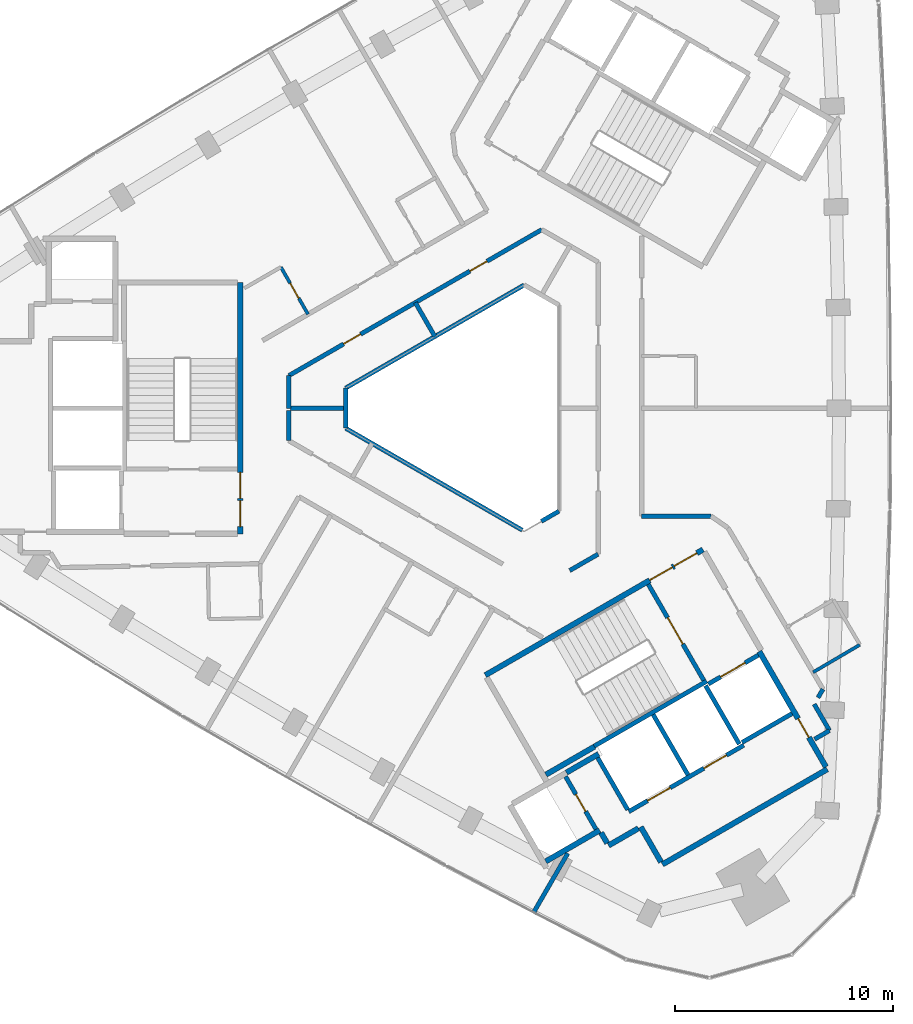
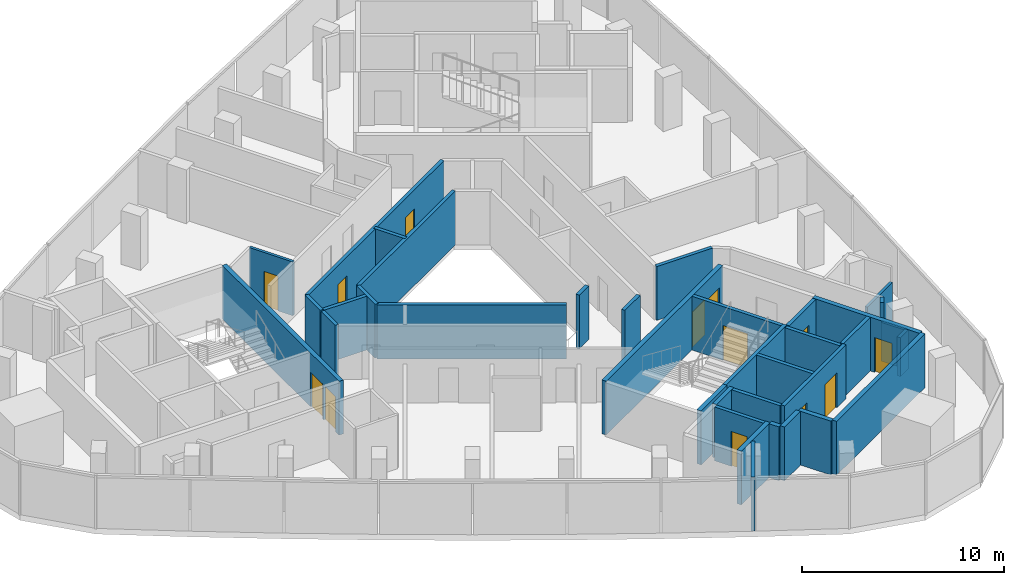
# One storey, part 8 of 11: 36 walls, 13 doors, 13 openings.
"""IFC4 building model written with IfcOpenShell, lengths in metres."""

from ifc_helpers import new_model, si_unit, direction, frame, frame_2d, origin, place, context, subcontext, project, spatial, rectangle, extrude, material, layer, layer_set, type_object, element, fill, save


model = new_model("IFC4")

# Units and contexts
model_context = context("Model", 3, precision=1e-05, world=origin(), true_north=direction((0.0, 1.0)))
body_context = subcontext(model_context, "Body", "Model", "MODEL_VIEW")
ifc_project = project(units=[si_unit("LENGTHUNIT", "METRE"), si_unit("AREAUNIT", "SQUARE_METRE"), si_unit("VOLUMEUNIT", "CUBIC_METRE"), si_unit("PLANEANGLEUNIT", "RADIAN"), si_unit("MASSUNIT", "GRAM", prefix="KILO")], contexts=[model_context])

# Site, building, storey
site_placement = place(None, origin())
site = spatial("IfcSite", under=ifc_project, at=site_placement, CompositionType="ELEMENT")
building_placement = place(site_placement, origin())
building = spatial("IfcBuilding", under=site, at=building_placement, Name="Tamra Quay Hotel Tower", CompositionType="ELEMENT")
storey_placement = place(building_placement, frame((0.0, 0.0, 235.800048828125)))
storey = spatial("IfcBuildingStorey", under=building, at=storey_placement, Name="L59", CompositionType="ELEMENT", Elevation=235.800048828125)

# Wall
ifc_material_1 = material(Name="Concrete M70", Category="concrete")
ifc_layer_1 = layer(ifc_material_1, 0.199951171875)
ifc_layer_set_1 = layer_set([ifc_layer_1], Name="Concrete M70 core wall 200")
wall_type_1 = type_object("IfcWallType", Name="Concrete M70 core wall 200", PredefinedType="SHEAR", material=ifc_layer_set_1)
wall_1_placement = place(storey_placement, frame((5.4189453125, -15.533935546875, 0.0), z_axis=(0.0, 0.0, 1.0), x_axis=(0.866029065029, 0.499993658486, 0.0)))
element("IfcWall", 1, at=wall_1_placement, inside=storey, type_object=wall_type_1, Name="CW2", PredefinedType="SHEAR", context=body_context, shape_type="SweptSolid", body=[
    extrude(rectangle(XDim=5.97412109375, YDim=0.199951171875, at=frame_2d((2.987060546875, 0.0))), origin(), (0.0, 0.0, 1.0), 3.25),
])

# Wall, openings, doors
wall_2_placement = place(storey_placement, frame((7.009765625, -18.54150390625, 0.0), z_axis=(0.0, 0.0, 1.0), x_axis=(0.866030299012, 0.499991521122, 0.0)))
wall_2 = element("IfcWall", 2, at=wall_2_placement, inside=storey, type_object=wall_type_1, Name="CW2", PredefinedType="SHEAR", context=body_context, shape_type="SweptSolid", body=[
    extrude(rectangle(XDim=6.10009765625, YDim=0.199951171875, at=frame_2d((3.050048828125, 0.0))), origin(), (0.0, 0.0, 1.0), 3.25),
])
opening_1_placement = place(wall_2_placement, frame((1.0, 0.0, 0.0)))
opening_1 = element("IfcOpeningElement", 3, at=opening_1_placement, cuts=wall_2, Name="Opening LD", PredefinedType="OPENING", context=body_context, shape_type="SweptSolid", body=[
    extrude(rectangle(XDim=1.199951171875, YDim=2.10009765625, at=frame_2d((0.60009765625, 1.050048828125))), frame((0.0, 0.10986328125, 0.0), z_axis=(0.0, -1.0, 0.0), x_axis=(1.0, 0.0, 0.0)), (0.0, 0.0, 1.0), 0.219970703125),
])
opening_2_placement = place(wall_2_placement, frame((3.982177734375, 0.0, 0.0)))
opening_2 = element("IfcOpeningElement", 4, at=opening_2_placement, cuts=wall_2, Name="Opening LD", PredefinedType="OPENING", context=body_context, shape_type="SweptSolid", body=[
    extrude(rectangle(XDim=1.199951171875, YDim=2.10009765625, at=frame_2d((0.60009765625, 1.050048828125))), frame((0.0, 0.10986328125, 0.0), z_axis=(0.0, -1.0, 0.0), x_axis=(1.0, 0.0, 0.0)), (0.0, 0.0, 1.0), 0.219970703125),
])
ifc_material_2 = material(Name="Landing door LD 1200 double door sliding")
door_type_1 = type_object("IfcDoorType", Name="Landing door LD 1200 double door sliding", OperationType="DOUBLE_DOOR_SLIDING", PredefinedType="DOOR", material=ifc_material_2)
door_1_placement = place(opening_1_placement, origin())
door_1 = element("IfcDoor", 5, at=door_1_placement, inside=storey, type_object=door_type_1, Name="LD", OperationType="DOUBLE_DOOR_SLIDING", OverallHeight=2.10009765625, OverallWidth=1.199951171875, PredefinedType="DOOR", context=body_context, shape_type="SweptSolid", body=[
    extrude(rectangle(XDim=1.199951171875, YDim=2.10009765625, at=frame_2d((0.60009765625, 1.050048828125))), frame((0.0, 0.02490234375, 0.0), z_axis=(0.0, -1.0, 0.0), x_axis=(1.0, 0.0, 0.0)), (0.0, 0.0, 1.0), 0.050048828125),
])
fill(opening_1, door_1)
door_2_placement = place(opening_2_placement, origin())
door_2 = element("IfcDoor", 6, at=door_2_placement, inside=storey, type_object=door_type_1, Name="LD", OperationType="DOUBLE_DOOR_SLIDING", OverallHeight=2.10009765625, OverallWidth=1.199951171875, PredefinedType="DOOR", context=body_context, shape_type="SweptSolid", body=[
    extrude(rectangle(XDim=1.199951171875, YDim=2.10009765625, at=frame_2d((0.60009765625, 1.050048828125))), frame((0.0, 0.02490234375, 0.0), z_axis=(0.0, -1.0, 0.0), x_axis=(1.0, 0.0, 0.0)), (0.0, 0.0, 1.0), 0.050048828125),
])
fill(opening_2, door_2)

# Wall, opening, door
wall_3_placement = place(storey_placement, frame((7.906494140625, -8.094482421875, 0.0), z_axis=(0.0, 0.0, 1.0), x_axis=(0.500027839223, -0.866009330205, 0.0)))
wall_3 = element("IfcWall", 7, at=wall_3_placement, inside=storey, type_object=wall_type_1, Name="CW2", PredefinedType="SHEAR", context=body_context, shape_type="SweptSolid", body=[
    extrude(rectangle(XDim=5.097900390625, YDim=0.199951171875, at=frame_2d((2.548828125, 0.0))), origin(), (0.0, 0.0, 1.0), 3.25),
])
opening_3_placement = place(wall_3_placement, frame((1.77392578125, 0.0, 0.0)))
opening_3 = element("IfcOpeningElement", 8, at=opening_3_placement, cuts=wall_3, Name="Opening FD2", PredefinedType="OPENING", context=body_context, shape_type="SweptSolid", body=[
    extrude(rectangle(XDim=1.39990234375, YDim=2.10009765625, at=frame_2d((0.699951171875, 1.050048828125))), frame((0.0, 0.10986328125, 0.0), z_axis=(0.0, -1.0, 0.0), x_axis=(1.0, 0.0, 0.0)), (0.0, 0.0, 1.0), 0.219970703125),
])
ifc_material_3 = material(Name="Core door FD2 1400x2100 RH")
door_type_2 = type_object("IfcDoorType", Name="Core door FD2 1400x2100 RH", OperationType="NOTDEFINED", PredefinedType="DOOR", material=ifc_material_3)
door_3_placement = place(opening_3_placement, origin())
door_3 = element("IfcDoor", 9, at=door_3_placement, inside=storey, type_object=door_type_2, Name="FD2", OperationType="SINGLE_SWING_RIGHT", OverallHeight=2.10009765625, OverallWidth=1.39990234375, PredefinedType="DOOR", context=body_context, shape_type="SweptSolid", body=[
    extrude(rectangle(XDim=1.39990234375, YDim=2.10009765625, at=frame_2d((0.699951171875, 1.050048828125))), frame((0.0, 0.02490234375, 0.0), z_axis=(0.0, -1.0, 0.0), x_axis=(1.0, 0.0, 0.0)), (0.0, 0.0, 1.0), 0.050048828125),
])
fill(opening_3, door_3)

# Wall
wall_4_placement = place(storey_placement, frame((8.131591796875, -14.084228515625, 0.0), z_axis=(0.0, 0.0, 1.0), x_axis=(0.499997778408, -0.866026686418, 0.0)))
element("IfcWall", 10, at=wall_4_placement, inside=storey, type_object=wall_type_1, Name="CW2", PredefinedType="SHEAR", context=body_context, shape_type="SweptSolid", body=[
    extrude(rectangle(XDim=3.1982421875, YDim=0.199951171875, at=frame_2d((1.59912109375, 0.0))), origin(), (0.0, 0.0, 1.0), 3.25),
])

# Wall, opening, door
wall_5_placement = place(storey_placement, frame((5.50341796875, -19.352294921875, 0.0), z_axis=(0.0, 0.0, 1.0), x_axis=(-0.499986818241, 0.866033014143, 0.0)))
wall_5 = element("IfcWall", 11, at=wall_5_placement, inside=storey, type_object=wall_type_1, Name="CW2", PredefinedType="SHEAR", context=body_context, shape_type="SweptSolid", body=[
    extrude(rectangle(XDim=2.7978515625, YDim=0.199951171875, at=frame_2d((1.39892578125, 0.0))), origin(), (0.0, 0.0, 1.0), 3.25),
])
opening_4_placement = place(wall_5_placement, frame((0.948974609375, 0.0, 0.0)))
opening_4 = element("IfcOpeningElement", 12, at=opening_4_placement, cuts=wall_5, Name="Opening D1", PredefinedType="OPENING", context=body_context, shape_type="SweptSolid", body=[
    extrude(rectangle(XDim=0.89990234375, YDim=2.10009765625, at=frame_2d((0.449951171875, 1.050048828125))), frame((0.0, 0.10986328125, 0.0), z_axis=(0.0, -1.0, 0.0), x_axis=(1.0, 0.0, 0.0)), (0.0, 0.0, 1.0), 0.219970703125),
])
ifc_material_4 = material(Name="Core door D1 900x2100 LH")
door_type_3 = type_object("IfcDoorType", Name="Core door D1 900x2100 LH", OperationType="NOTDEFINED", PredefinedType="DOOR", material=ifc_material_4)
door_4_placement = place(opening_4_placement, origin())
door_4 = element("IfcDoor", 13, at=door_4_placement, inside=storey, type_object=door_type_3, Name="D1", OperationType="SINGLE_SWING_LEFT", OverallHeight=2.10009765625, OverallWidth=0.89990234375, PredefinedType="DOOR", context=body_context, shape_type="SweptSolid", body=[
    extrude(rectangle(XDim=0.89990234375, YDim=2.10009765625, at=frame_2d((0.449951171875, 1.050048828125))), frame((0.0, 0.02490234375, 0.0), z_axis=(0.0, -1.0, 0.0), x_axis=(1.0, 0.0, 0.0)), (0.0, 0.0, 1.0), 0.050048828125),
])
fill(opening_4, door_4)

# Walls
wall_6_placement = place(storey_placement, frame((6.959716796875, -18.455078125, 0.0), z_axis=(0.0, 0.0, 1.0), x_axis=(-0.499926705758, 0.866067716099, 0.0)))
element("IfcWall", 14, at=wall_6_placement, inside=storey, type_object=wall_type_1, Name="CW2", PredefinedType="SHEAR", context=body_context, shape_type="SweptSolid", body=[
    extrude(rectangle(XDim=2.75927734375, YDim=0.199951171875, at=frame_2d((1.379638671875, 0.0))), origin(), (0.0, 0.0, 1.0), 3.25),
])
wall_7_placement = place(storey_placement, frame((12.087646484375, -15.4365234375, 0.0), z_axis=(0.0, 0.0, 1.0), x_axis=(-0.500026960575, 0.86600983753, 0.0)))
element("IfcWall", 15, at=wall_7_placement, inside=storey, type_object=wall_type_1, Name="CW2", PredefinedType="SHEAR", context=body_context, shape_type="SweptSolid", body=[
    extrude(rectangle(XDim=3.099853515625, YDim=0.199951171875, at=frame_2d((1.5498046875, 0.0))), origin(), (0.0, 0.0, 1.0), 3.25),
])

# Wall, opening, door
wall_8_placement = place(storey_placement, frame((10.666015625, -12.677734375, 0.0), z_axis=(0.0, 0.0, 1.0), x_axis=(0.866018407898, 0.500012117035, 0.0)))
wall_8 = element("IfcWall", 16, at=wall_8_placement, inside=storey, type_object=wall_type_1, Name="CW2", PredefinedType="SHEAR", context=body_context, shape_type="SweptSolid", body=[
    extrude(rectangle(XDim=2.65087890625, YDim=0.199951171875, at=frame_2d((1.325439453125, 0.0))), origin(), (0.0, 0.0, 1.0), 3.25),
])
opening_5_placement = place(wall_8_placement, frame((0.65185546875, 0.0, 0.0)))
opening_5 = element("IfcOpeningElement", 17, at=opening_5_placement, cuts=wall_8, Name="Opening LD", PredefinedType="OPENING", context=body_context, shape_type="SweptSolid", body=[
    extrude(rectangle(XDim=1.300048828125, YDim=2.10009765625, at=frame_2d((0.64990234375, 1.050048828125))), frame((0.0, 0.10986328125, 0.0), z_axis=(0.0, -1.0, 0.0), x_axis=(1.0, 0.0, 0.0)), (0.0, 0.0, 1.0), 0.219970703125),
])
ifc_material_5 = material(Name="Landing door LD 1300 sliding to right")
door_type_4 = type_object("IfcDoorType", Name="Landing door LD 1300 sliding to right", OperationType="NOTDEFINED", PredefinedType="DOOR", material=ifc_material_5)
door_5_placement = place(opening_5_placement, origin())
door_5 = element("IfcDoor", 18, at=door_5_placement, inside=storey, type_object=door_type_4, Name="LD", OperationType="SLIDING_TO_RIGHT", OverallHeight=2.10009765625, OverallWidth=1.300048828125, PredefinedType="DOOR", context=body_context, shape_type="SweptSolid", body=[
    extrude(rectangle(XDim=1.300048828125, YDim=2.10009765625, at=frame_2d((0.64990234375, 1.050048828125))), frame((0.0, 0.02490234375, 0.0), z_axis=(0.0, -1.0, 0.0), x_axis=(1.0, 0.0, 0.0)), (0.0, 0.0, 1.0), 0.050048828125),
])
fill(opening_5, door_5)

# Wall
wall_9_placement = place(storey_placement, frame((14.51171875, -14.037109375, 0.0), z_axis=(0.0, 0.0, 1.0), x_axis=(-0.866018407898, -0.500012117035, 0.0)))
element("IfcWall", 19, at=wall_9_placement, inside=storey, type_object=wall_type_1, Name="CW2", PredefinedType="SHEAR", context=body_context, shape_type="SweptSolid", body=[
    extrude(rectangle(XDim=2.65087890625, YDim=0.199951171875, at=frame_2d((1.325439453125, 0.0))), origin(), (0.0, 0.0, 1.0), 3.25),
])

# Wall, openings, doors
ifc_layer_2 = layer(ifc_material_1, 0.25)
ifc_layer_set_2 = layer_set([ifc_layer_2], Name="Concrete M70 core wall 250")
wall_type_2 = type_object("IfcWallType", Name="Concrete M70 core wall 250", PredefinedType="SHEAR", material=ifc_layer_set_2)
wall_10_placement = place(storey_placement, frame((-10.83740234375, 5.77490234375, 0.0), z_axis=(0.0, 0.0, 1.0), x_axis=(0.0, -1.0, 0.0)))
wall_10 = element("IfcWall", 20, at=wall_10_placement, inside=storey, type_object=wall_type_2, Name="CW1", PredefinedType="SHEAR", context=body_context, shape_type="SweptSolid", body=[
    extrude(rectangle(XDim=11.5498046875, YDim=0.25, at=frame_2d((5.77490234375, 0.0))), origin(), (0.0, 0.0, 1.0), 3.25),
])
opening_6_placement = place(wall_10_placement, frame((10.02490234375, 0.0, 0.0)))
opening_6 = element("IfcOpeningElement", 21, at=opening_6_placement, cuts=wall_10, Name="Opening FD1", PredefinedType="OPENING", context=body_context, shape_type="SweptSolid", body=[
    extrude(rectangle(XDim=1.199951171875, YDim=2.10009765625, at=frame_2d((0.60009765625, 1.050048828125))), frame((0.0, 0.135009765625, 0.0), z_axis=(0.0, -1.0, 0.0), x_axis=(1.0, 0.0, 0.0)), (0.0, 0.0, 1.0), 0.27001953125),
])
opening_7_placement = place(wall_10_placement, frame((8.72509765625, 0.0, 0.0)))
opening_7 = element("IfcOpeningElement", 22, at=opening_7_placement, cuts=wall_10, Name="Opening FD1", PredefinedType="OPENING", context=body_context, shape_type="SweptSolid", body=[
    extrude(rectangle(XDim=1.199951171875, YDim=2.10009765625, at=frame_2d((0.60009765625, 1.050048828125))), frame((0.0, 0.135009765625, 0.0), z_axis=(0.0, -1.0, 0.0), x_axis=(1.0, 0.0, 0.0)), (0.0, 0.0, 1.0), 0.27001953125),
])
ifc_material_6 = material(Name="Core door FD1 1200x2100 LH")
door_type_5 = type_object("IfcDoorType", Name="Core door FD1 1200x2100 LH", OperationType="NOTDEFINED", PredefinedType="DOOR", material=ifc_material_6)
door_6_placement = place(opening_6_placement, origin())
door_6 = element("IfcDoor", 23, at=door_6_placement, inside=storey, type_object=door_type_5, Name="FD1", OperationType="SINGLE_SWING_LEFT", OverallHeight=2.10009765625, OverallWidth=1.199951171875, PredefinedType="DOOR", context=body_context, shape_type="SweptSolid", body=[
    extrude(rectangle(XDim=1.199951171875, YDim=2.10009765625, at=frame_2d((0.60009765625, 1.050048828125))), frame((0.0, 0.02490234375, 0.0), z_axis=(0.0, -1.0, 0.0), x_axis=(1.0, 0.0, 0.0)), (0.0, 0.0, 1.0), 0.050048828125),
])
fill(opening_6, door_6)
ifc_material_7 = material(Name="Core door FD1 1200x2100 RH")
door_type_6 = type_object("IfcDoorType", Name="Core door FD1 1200x2100 RH", OperationType="NOTDEFINED", PredefinedType="DOOR", material=ifc_material_7)
door_7_placement = place(opening_7_placement, origin())
door_7 = element("IfcDoor", 24, at=door_7_placement, inside=storey, type_object=door_type_6, Name="FD1", OperationType="SINGLE_SWING_RIGHT", OverallHeight=2.10009765625, OverallWidth=1.199951171875, PredefinedType="DOOR", context=body_context, shape_type="SweptSolid", body=[
    extrude(rectangle(XDim=1.199951171875, YDim=2.10009765625, at=frame_2d((0.60009765625, 1.050048828125))), frame((0.0, 0.02490234375, 0.0), z_axis=(0.0, -1.0, 0.0), x_axis=(1.0, 0.0, 0.0)), (0.0, 0.0, 1.0), 0.050048828125),
])
fill(opening_7, door_7)

wall_11_placement = place(storey_placement, frame((0.417236328125, -12.27294921875, 0.0), z_axis=(0.0, 0.0, 1.0), x_axis=(0.866021906294, 0.500006057782, 0.0)))
wall_11 = element("IfcWall", 25, at=wall_11_placement, inside=storey, type_object=wall_type_2, Name="CW1", PredefinedType="SHEAR", context=body_context, shape_type="SweptSolid", body=[
    extrude(rectangle(XDim=11.550048828125, YDim=0.25, at=frame_2d((5.77490234375, 0.0))), origin(), (0.0, 0.0, 1.0), 3.25),
])
opening_8_placement = place(wall_11_placement, frame((10.024658203125, 0.0, 0.0)))
opening_8 = element("IfcOpeningElement", 26, at=opening_8_placement, cuts=wall_11, Name="Opening FD1", PredefinedType="OPENING", context=body_context, shape_type="SweptSolid", body=[
    extrude(rectangle(XDim=1.199951171875, YDim=2.10009765625, at=frame_2d((0.60009765625, 1.050048828125))), frame((0.0, 0.135009765625, 0.0), z_axis=(0.0, -1.0, 0.0), x_axis=(1.0, 0.0, 0.0)), (0.0, 0.0, 1.0), 0.27001953125),
])
opening_9_placement = place(wall_11_placement, frame((8.724609375, 0.0, 0.0)))
opening_9 = element("IfcOpeningElement", 27, at=opening_9_placement, cuts=wall_11, Name="Opening FD1", PredefinedType="OPENING", context=body_context, shape_type="SweptSolid", body=[
    extrude(rectangle(XDim=1.199951171875, YDim=2.10009765625, at=frame_2d((0.60009765625, 1.050048828125))), frame((0.0, 0.135009765625, 0.0), z_axis=(0.0, -1.0, 0.0), x_axis=(1.0, 0.0, 0.0)), (0.0, 0.0, 1.0), 0.27001953125),
])
door_8_placement = place(opening_8_placement, origin())
door_8 = element("IfcDoor", 28, at=door_8_placement, inside=storey, type_object=door_type_5, Name="FD1", OperationType="SINGLE_SWING_LEFT", OverallHeight=2.10009765625, OverallWidth=1.199951171875, PredefinedType="DOOR", context=body_context, shape_type="SweptSolid", body=[
    extrude(rectangle(XDim=1.199951171875, YDim=2.10009765625, at=frame_2d((0.60009765625, 1.050048828125))), frame((0.0, 0.02490234375, 0.0), z_axis=(0.0, -1.0, 0.0), x_axis=(1.0, 0.0, 0.0)), (0.0, 0.0, 1.0), 0.050048828125),
])
fill(opening_8, door_8)
door_9_placement = place(opening_9_placement, origin())
door_9 = element("IfcDoor", 29, at=door_9_placement, inside=storey, type_object=door_type_6, Name="FD1", OperationType="SINGLE_SWING_RIGHT", OverallHeight=2.10009765625, OverallWidth=1.199951171875, PredefinedType="DOOR", context=body_context, shape_type="SweptSolid", body=[
    extrude(rectangle(XDim=1.199951171875, YDim=2.10009765625, at=frame_2d((0.60009765625, 1.050048828125))), frame((0.0, 0.02490234375, 0.0), z_axis=(0.0, -1.0, 0.0), x_axis=(1.0, 0.0, 0.0)), (0.0, 0.0, 1.0), 0.050048828125),
])
fill(opening_9, door_9)

# Wall
wall_12_placement = place(storey_placement, frame((16.13330078125, -16.59375, 0.0), z_axis=(0.0, 0.0, 1.0), x_axis=(-0.866022959057, -0.500004234368, 0.0)))
element("IfcWall", 30, at=wall_12_placement, inside=storey, type_object=wall_type_2, Name="CW1", PredefinedType="SHEAR", context=body_context, shape_type="SweptSolid", body=[
    extrude(rectangle(XDim=8.75, YDim=0.25, at=frame_2d((4.375, 0.0))), origin(), (0.0, 0.0, 1.0), 3.25),
])

# Wall, opening, door
wall_13_placement = place(storey_placement, frame((13.00830078125, -11.18115234375, 0.0), z_axis=(0.0, 0.0, 1.0), x_axis=(0.500001955336, -0.866024274868, 0.0)))
wall_13 = element("IfcWall", 31, at=wall_13_placement, inside=storey, type_object=wall_type_2, Name="CW1", PredefinedType="SHEAR", context=body_context, shape_type="SweptSolid", body=[
    extrude(rectangle(XDim=6.12451171875, YDim=0.25, at=frame_2d((3.062255859375, 0.0))), origin(), (0.0, 0.0, 1.0), 3.25),
])
opening_10_placement = place(wall_13_placement, frame((3.562744140625, 0.0, 0.0)))
opening_10 = element("IfcOpeningElement", 32, at=opening_10_placement, cuts=wall_13, Name="Opening FD3", PredefinedType="OPENING", context=body_context, shape_type="SweptSolid", body=[
    extrude(rectangle(XDim=1.0, YDim=2.10009765625, at=frame_2d((0.5, 1.050048828125))), frame((0.0, 0.135009765625, 0.0), z_axis=(0.0, -1.0, 0.0), x_axis=(1.0, 0.0, 0.0)), (0.0, 0.0, 1.0), 0.27001953125),
])
ifc_material_8 = material(Name="Core door FD3 1000x2100 LH")
door_type_7 = type_object("IfcDoorType", Name="Core door FD3 1000x2100 LH", OperationType="NOTDEFINED", PredefinedType="DOOR", material=ifc_material_8)
door_10_placement = place(opening_10_placement, origin())
door_10 = element("IfcDoor", 33, at=door_10_placement, inside=storey, type_object=door_type_7, Name="FD3", OperationType="SINGLE_SWING_LEFT", OverallHeight=2.10009765625, OverallWidth=1.0, PredefinedType="DOOR", context=body_context, shape_type="SweptSolid", body=[
    extrude(rectangle(XDim=1.0, YDim=2.10009765625, at=frame_2d((0.5, 1.050048828125))), frame((0.0, 0.02490234375, 0.0), z_axis=(0.0, -1.0, 0.0), x_axis=(1.0, 0.0, 0.0)), (0.0, 0.0, 1.0), 0.050048828125),
])
fill(opening_10, door_10)

# Walls
wall_14_placement = place(storey_placement, frame((5.6748046875, -19.39892578125, 0.0), z_axis=(0.0, 0.0, 1.0), x_axis=(-0.866026637627, -0.499997862916, 0.0)))
element("IfcWall", 34, at=wall_14_placement, inside=storey, type_object=wall_type_2, Name="CW1", PredefinedType="SHEAR", context=body_context, shape_type="SweptSolid", body=[
    extrude(rectangle(XDim=2.86474609375, YDim=0.25, at=frame_2d((1.432373046875, 0.0))), origin(), (0.0, 0.0, 1.0), 3.25),
])
wall_15_placement = place(storey_placement, frame((5.4306640625, -15.55615234375, 0.0), z_axis=(0.0, 0.0, 1.0), x_axis=(-0.866022940537, -0.500004266446, 0.0)))
element("IfcWall", 35, at=wall_15_placement, inside=storey, type_object=wall_type_2, Name="CW1", PredefinedType="SHEAR", context=body_context, shape_type="SweptSolid", body=[
    extrude(rectangle(XDim=2.57470703125, YDim=0.25, at=frame_2d((1.287353515625, 0.0))), origin(), (0.0, 0.0, 1.0), 3.25),
])
wall_16_placement = place(storey_placement, frame((8.492919921875, -20.860107421875, 0.0), z_axis=(0.0, 0.0, 1.0), x_axis=(-0.500039802285, 0.866002422705, 0.0)))
element("IfcWall", 36, at=wall_16_placement, inside=storey, type_object=wall_type_2, Name="CW1", PredefinedType="SHEAR", context=body_context, shape_type="SweptSolid", body=[
    extrude(rectangle(XDim=1.864501953125, YDim=0.25, at=frame_2d((0.93212890625, 0.0))), origin(), (0.0, 0.0, 1.0), 3.25),
])
wall_17_placement = place(storey_placement, frame((4.144775390625, -16.748779296875, 0.0), z_axis=(0.0, 0.0, 1.0), x_axis=(0.866038183914, 0.499977863513, 0.0)))
element("IfcWall", 37, at=wall_17_placement, inside=storey, type_object=wall_type_2, Name="CW1", PredefinedType="SHEAR", context=body_context, shape_type="SweptSolid", body=[
    extrude(rectangle(XDim=1.7099609375, YDim=0.25, at=frame_2d((0.85498046875, 0.0))), origin(), (0.0, 0.0, 1.0), 3.25),
])
wall_18_placement = place(storey_placement, frame((7.451904296875, -19.30810546875, 0.0), z_axis=(0.0, 0.0, 1.0), x_axis=(-0.866044474677, -0.49996696679, 0.0)))
element("IfcWall", 38, at=wall_18_placement, inside=storey, type_object=wall_type_2, Name="CW1", PredefinedType="SHEAR", context=body_context, shape_type="SweptSolid", body=[
    extrude(rectangle(XDim=1.58447265625, YDim=0.25, at=frame_2d((0.792236328125, 0.0))), origin(), (0.0, 0.0, 1.0), 3.25),
])
wall_19_placement = place(storey_placement, frame((6.01708984375, -19.99169921875, 0.0), z_axis=(0.0, 0.0, 1.0), x_axis=(-0.500364886717, 0.865814633822, 0.0)))
element("IfcWall", 39, at=wall_19_placement, inside=storey, type_object=wall_type_2, Name="CW1", PredefinedType="SHEAR", context=body_context, shape_type="SweptSolid", body=[
    extrude(rectangle(XDim=0.55908203125, YDim=0.25, at=frame_2d((0.279541015625, 0.0))), origin(), (0.0, 0.0, 1.0), 3.25),
])

# Wall, openings, doors
ifc_material_9 = material(Name="Partition corridor wall")
ifc_layer_3 = layer(ifc_material_9, 0.199951171875)
ifc_layer_set_3 = layer_set([ifc_layer_3], Name="Partition corridor wall")
wall_type_3 = type_object("IfcWallType", Name="Partition corridor wall", PredefinedType="PARTITIONING", material=ifc_layer_set_3)
wall_20_placement = place(storey_placement, frame((-8.6123046875, 1.494384765625, 0.0), z_axis=(0.0, 0.0, 1.0), x_axis=(0.8660441356, 0.49996755414, 0.0)))
wall_20 = element("IfcWall", 40, at=wall_20_placement, inside=storey, type_object=wall_type_3, Name="W-C", PredefinedType="PARTITIONING", context=body_context, shape_type="SweptSolid", body=[
    extrude(rectangle(XDim=13.42236328125, YDim=0.199951171875, at=frame_2d((6.711181640625, 0.0))), origin(), (0.0, 0.0, 1.0), 3.25),
])
opening_11_placement = place(wall_20_placement, frame((9.61083984375, 0.0, 0.0)))
opening_11 = element("IfcOpeningElement", 41, at=opening_11_placement, cuts=wall_20, Name="Opening L59-D019", PredefinedType="OPENING", context=body_context, shape_type="SweptSolid", body=[
    extrude(rectangle(XDim=0.89990234375, YDim=2.10009765625, at=frame_2d((0.449951171875, 1.050048828125))), frame((0.0, 0.10986328125, 0.0), z_axis=(0.0, -1.0, 0.0), x_axis=(1.0, 0.0, 0.0)), (0.0, 0.0, 1.0), 0.219970703125),
])
opening_12_placement = place(wall_20_placement, frame((2.9111328125, 0.0, 0.0)))
opening_12 = element("IfcOpeningElement", 42, at=opening_12_placement, cuts=wall_20, Name="Opening L59-D020", PredefinedType="OPENING", context=body_context, shape_type="SweptSolid", body=[
    extrude(rectangle(XDim=0.89990234375, YDim=2.10009765625, at=frame_2d((0.449951171875, 1.050048828125))), frame((0.0, 0.10986328125, 0.0), z_axis=(0.0, -1.0, 0.0), x_axis=(1.0, 0.0, 0.0)), (0.0, 0.0, 1.0), 0.219970703125),
])
ifc_material_10 = material(Name="Door service room 900x2100")
door_type_8 = type_object("IfcDoorType", Name="Door service room 900x2100", OperationType="NOTDEFINED", PredefinedType="DOOR", material=ifc_material_10)
door_11_placement = place(opening_11_placement, frame((0.89990234375, 0.0, 0.0), z_axis=(0.0, 0.0, 1.0), x_axis=(-1.0, 0.0, 0.0)))
door_11 = element("IfcDoor", 43, at=door_11_placement, inside=storey, type_object=door_type_8, Name="L59-D019", OperationType="SINGLE_SWING_LEFT", OverallHeight=2.10009765625, OverallWidth=0.89990234375, PredefinedType="DOOR", context=body_context, shape_type="SweptSolid", body=[
    extrude(rectangle(XDim=0.89990234375, YDim=2.10009765625, at=frame_2d((0.449951171875, 1.050048828125))), frame((0.0, 0.02490234375, 0.0), z_axis=(0.0, -1.0, 0.0), x_axis=(1.0, 0.0, 0.0)), (0.0, 0.0, 1.0), 0.050048828125),
])
fill(opening_11, door_11)
door_12_placement = place(opening_12_placement, frame((0.89990234375, 0.0, 0.0), z_axis=(0.0, 0.0, 1.0), x_axis=(-1.0, 0.0, 0.0)))
door_12 = element("IfcDoor", 44, at=door_12_placement, inside=storey, type_object=door_type_8, Name="L59-D020", OperationType="SINGLE_SWING_LEFT", OverallHeight=2.10009765625, OverallWidth=0.89990234375, PredefinedType="DOOR", context=body_context, shape_type="SweptSolid", body=[
    extrude(rectangle(XDim=0.89990234375, YDim=2.10009765625, at=frame_2d((0.449951171875, 1.050048828125))), frame((0.0, 0.02490234375, 0.0), z_axis=(0.0, -1.0, 0.0), x_axis=(1.0, 0.0, 0.0)), (0.0, 0.0, 1.0), 0.050048828125),
])
fill(opening_12, door_12)

# Walls
wall_21_placement = place(storey_placement, frame((-8.612060546875, -1.493896484375, 0.0), z_axis=(0.0, 0.0, 1.0), x_axis=(0.0, 1.0, 0.0)))
element("IfcWall", 45, at=wall_21_placement, inside=storey, type_object=wall_type_3, Name="W-C", PredefinedType="PARTITIONING", context=body_context, shape_type="SweptSolid", body=[
    extrude(rectangle(XDim=1.3828125, YDim=0.199951171875, at=frame_2d((0.69140625, 0.0))), origin(), (0.0, 0.0, 1.0), 3.25),
])
wall_22_placement = place(storey_placement, frame((-8.612060546875, -0.010986328125, 0.0), z_axis=(0.0, 0.0, 1.0), x_axis=(0.0, 1.0, 0.0)))
element("IfcWall", 46, at=wall_22_placement, inside=storey, type_object=wall_type_3, Name="W-C", PredefinedType="PARTITIONING", context=body_context, shape_type="SweptSolid", body=[
    extrude(rectangle(XDim=1.5048828125, YDim=0.199951171875, at=frame_2d((0.75244140625, 0.0))), origin(), (0.0, 0.0, 1.0), 3.25),
])
wall_23_placement = place(storey_placement, frame((4.2958984375, -7.462890625, 0.0), z_axis=(0.0, 0.0, 1.0), x_axis=(0.86632054743, 0.499488447414, 0.0)))
element("IfcWall", 47, at=wall_23_placement, inside=storey, type_object=wall_type_3, Name="W-C", PredefinedType="PARTITIONING", context=body_context, shape_type="SweptSolid", body=[
    extrude(rectangle(XDim=1.50537109375, YDim=0.199951171875, at=frame_2d((0.752685546875, 0.0))), origin(), (0.0, 0.0, 1.0), 3.25),
])
wall_24_placement = place(storey_placement, frame((7.60009765625, -4.966064453125, 0.0), z_axis=(0.0, 0.0, 1.0), x_axis=(1.0, 0.0, 0.0)))
element("IfcWall", 48, at=wall_24_placement, inside=storey, type_object=wall_type_3, Name="W-C", PredefinedType="PARTITIONING", context=body_context, shape_type="SweptSolid", body=[
    extrude(rectangle(XDim=3.19287109375, YDim=0.199951171875, at=frame_2d((1.596435546875, 0.0))), origin(), (0.0, 0.0, 1.0), 3.25),
])
wall_25_placement = place(storey_placement, frame((15.5498046875, -15.213134765625, 0.0), z_axis=(0.0, 0.0, 1.0), x_axis=(0.865989998118, 0.500061319399, 0.0)))
element("IfcWall", 49, at=wall_25_placement, inside=storey, type_object=wall_type_3, Name="W-C", PredefinedType="PARTITIONING", context=body_context, shape_type="SweptSolid", body=[
    extrude(rectangle(XDim=0.7900390625, YDim=0.199951171875, at=frame_2d((0.39501953125, 0.0))), origin(), (0.0, 0.0, 1.0), 2.349853515625),
])
wall_26_placement = place(storey_placement, frame((15.93310546875, -12.9150390625, 0.0), z_axis=(0.0, 0.0, 1.0), x_axis=(-0.502017930819, -0.864857211993, 0.0)))
element("IfcWall", 50, at=wall_26_placement, inside=storey, type_object=wall_type_3, Name="W-C", PredefinedType="PARTITIONING", context=body_context, shape_type="SweptSolid", body=[
    extrude(rectangle(XDim=0.450927734375, YDim=0.199951171875, at=frame_2d((0.2255859375, 0.0))), origin(), (0.0, 0.0, 1.0), 3.25),
])
wall_27_placement = place(storey_placement, frame((15.532958984375, -13.60400390625, 0.0), z_axis=(0.0, 0.0, 1.0), x_axis=(0.499978724804, -0.866037686676, 0.0)))
element("IfcWall", 51, at=wall_27_placement, inside=storey, type_object=wall_type_3, Name="W-C", PredefinedType="PARTITIONING", context=body_context, shape_type="SweptSolid", body=[
    extrude(rectangle(XDim=1.40185546875, YDim=0.199951171875, at=frame_2d((0.700927734375, 0.0))), origin(), (0.0, 0.0, 1.0), 2.349853515625),
])

# Wall, opening, door
ifc_material_11 = material(Name="Partition en-suite wall")
ifc_layer_4 = layer(ifc_material_11, 0.14990234375)
ifc_layer_set_4 = layer_set([ifc_layer_4], Name="Partition en-suite wall")
wall_type_4 = type_object("IfcWallType", Name="Partition en-suite wall", PredefinedType="PARTITIONING", material=ifc_layer_set_4)
wall_28_placement = place(storey_placement, frame((-8.97705078125, 6.47705078125, 0.0), z_axis=(0.0, 0.0, 1.0), x_axis=(0.499632127845, -0.86623769072, 0.0)))
wall_28 = element("IfcWall", 52, at=wall_28_placement, inside=storey, type_object=wall_type_4, Name="W-E", PredefinedType="PARTITIONING", context=body_context, shape_type="SweptSolid", body=[
    extrude(rectangle(XDim=2.49609375, YDim=0.14990234375, at=frame_2d((1.248046875, 0.0))), origin(), (0.0, 0.0, 1.0), 3.25),
])
opening_13_placement = place(wall_28_placement, frame((0.847412109375, 0.0, 0.0)))
opening_13 = element("IfcOpeningElement", 53, at=opening_13_placement, cuts=wall_28, Name="Opening L59-D006", PredefinedType="OPENING", context=body_context, shape_type="SweptSolid", body=[
    extrude(rectangle(XDim=0.800048828125, YDim=2.10009765625, at=frame_2d((0.39990234375, 1.050048828125))), frame((0.0, 0.0849609375, 0.0), z_axis=(0.0, -1.0, 0.0), x_axis=(1.0, 0.0, 0.0)), (0.0, 0.0, 1.0), 0.169921875),
])
ifc_material_12 = material(Name="Door en-suite 800x2100")
door_type_9 = type_object("IfcDoorType", Name="Door en-suite 800x2100", OperationType="NOTDEFINED", PredefinedType="DOOR", material=ifc_material_12)
door_13_placement = place(opening_13_placement, frame((0.800048828125, 0.0, 0.0), z_axis=(0.0, 0.0, 1.0), x_axis=(-1.0, 0.0, 0.0)))
door_13 = element("IfcDoor", 54, at=door_13_placement, inside=storey, type_object=door_type_9, Name="L59-D006", OperationType="SINGLE_SWING_LEFT", OverallHeight=2.10009765625, OverallWidth=0.800048828125, PredefinedType="DOOR", context=body_context, shape_type="SweptSolid", body=[
    extrude(rectangle(XDim=0.800048828125, YDim=2.10009765625, at=frame_2d((0.39990234375, 1.050048828125))), frame((0.0, 0.02490234375, 0.0), z_axis=(0.0, -1.0, 0.0), x_axis=(1.0, 0.0, 0.0)), (0.0, 0.0, 1.0), 0.050048828125),
])
fill(opening_13, door_13)

# Walls
wall_29_placement = place(storey_placement, frame((15.47998046875, -12.138916015625, 0.0), z_axis=(0.0, 0.0, 1.0), x_axis=(0.86187110735, 0.507127394562, 0.0)))
element("IfcWall", 55, at=wall_29_placement, inside=storey, type_object=wall_type_4, Name="W-E", PredefinedType="PARTITIONING", context=body_context, shape_type="SweptSolid", body=[
    extrude(rectangle(XDim=2.486572265625, YDim=0.14990234375, at=frame_2d((1.2431640625, 0.0))), origin(), (0.0, 0.0, 1.0), 2.349853515625),
])
ifc_material_13 = material(Name="Partition party wall")
ifc_layer_5 = layer(ifc_material_13, 0.199951171875)
ifc_layer_set_5 = layer_set([ifc_layer_5], Name="Partition party wall")
wall_type_5 = type_object("IfcWallType", Name="Partition party wall", PredefinedType="PARTITIONING", material=ifc_layer_set_5)
wall_30_placement = place(storey_placement, frame((-8.547119140625, 0.0, 0.0), z_axis=(0.0, 0.0, 1.0), x_axis=(1.0, 0.0, 0.0)))
element("IfcWall", 56, at=wall_30_placement, inside=storey, type_object=wall_type_5, Name="W-P", PredefinedType="PARTITIONING", context=body_context, shape_type="SweptSolid", body=[
    extrude(rectangle(XDim=2.547119140625, YDim=0.199951171875, at=frame_2d((1.2734375, 0.0))), origin(), (0.0, 0.0, 1.0), 3.25),
])
wall_31_placement = place(storey_placement, frame((-6.0, -0.924072265625, 0.0), z_axis=(0.0, 0.0, 1.0), x_axis=(0.866223755075, -0.499656288007, 0.0)))
element("IfcWall", 57, at=wall_31_placement, inside=storey, type_object=wall_type_5, Name="W-P", PredefinedType="PARTITIONING", context=body_context, shape_type="SweptSolid", body=[
    extrude(rectangle(XDim=9.3701171875, YDim=0.199951171875, at=frame_2d((4.68505859375, 0.0))), origin(), (0.0, 0.0, 1.0), 3.25),
])
wall_32_placement = place(storey_placement, frame((-6.0, -0.924072265625, 0.0), z_axis=(0.0, 0.0, 1.0), x_axis=(0.0, 1.0, 0.0)))
element("IfcWall", 58, at=wall_32_placement, inside=storey, type_object=wall_type_5, Name="W-P", PredefinedType="PARTITIONING", context=body_context, shape_type="SweptSolid", body=[
    extrude(rectangle(XDim=1.84814453125, YDim=0.199951171875, at=frame_2d((0.924072265625, 0.0))), origin(), (0.0, 0.0, 1.0), 3.25),
])
wall_33_placement = place(storey_placement, frame((-5.999755859375, 0.923583984375, 0.0), z_axis=(0.0, 0.0, 1.0), x_axis=(0.866012967051, 0.500021540435, 0.0)))
element("IfcWall", 59, at=wall_33_placement, inside=storey, type_object=wall_type_5, Name="W-P", PredefinedType="PARTITIONING", context=body_context, shape_type="SweptSolid", body=[
    extrude(rectangle(XDim=9.46826171875, YDim=0.199951171875, at=frame_2d((4.734130859375, 0.0))), origin(), (0.0, 0.0, 1.0), 3.25),
])
wall_34_placement = place(storey_placement, frame((-2.800048828125, 4.85009765625, 0.0), z_axis=(0.0, 0.0, 1.0), x_axis=(0.500004188491, -0.866022985545, 0.0)))
element("IfcWall", 60, at=wall_34_placement, inside=storey, type_object=wall_type_5, Name="W-P", PredefinedType="PARTITIONING", context=body_context, shape_type="SweptSolid", body=[
    extrude(rectangle(XDim=1.80029296875, YDim=0.199951171875, at=frame_2d((0.900146484375, 0.0))), origin(), (0.0, 0.0, 1.0), 3.25),
])
wall_35_placement = place(storey_placement, frame((2.640380859375, -23.170166015625, 0.0), z_axis=(0.0, 0.0, 1.0), x_axis=(0.500017489778, 0.866015305821, 0.0)))
element("IfcWall", 61, at=wall_35_placement, inside=storey, type_object=wall_type_5, Name="W-P", PredefinedType="PARTITIONING", context=body_context, shape_type="SweptSolid", body=[
    extrude(rectangle(XDim=3.1279296875, YDim=0.199951171875, at=frame_2d((1.56396484375, 0.0))), origin(), (0.0, 0.0, 1.0), 3.25),
])
wall_36_placement = place(storey_placement, frame((2.989990234375, -5.201904296875, 0.0), z_axis=(0.0, 0.0, 1.0), x_axis=(0.865872609263, 0.500264554538, 0.0)))
element("IfcWall", 62, at=wall_36_placement, inside=storey, type_object=wall_type_5, Name="W-P", PredefinedType="PARTITIONING", context=body_context, shape_type="SweptSolid", body=[
    extrude(rectangle(XDim=0.935546875, YDim=0.199951171875, at=frame_2d((0.4677734375, 0.0))), origin(), (0.0, 0.0, 1.0), 3.25),
])

save(model, "model.ifc")
